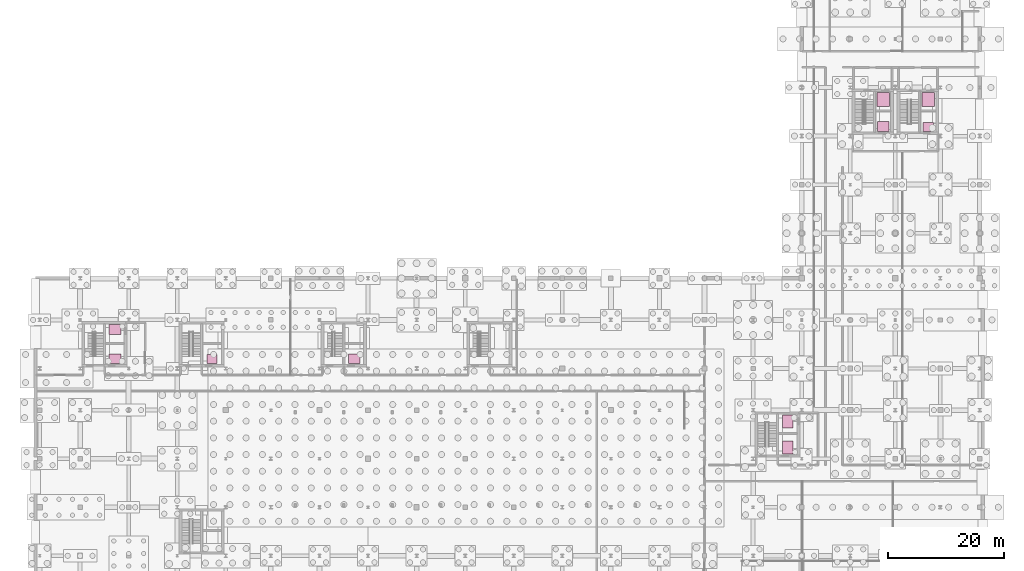
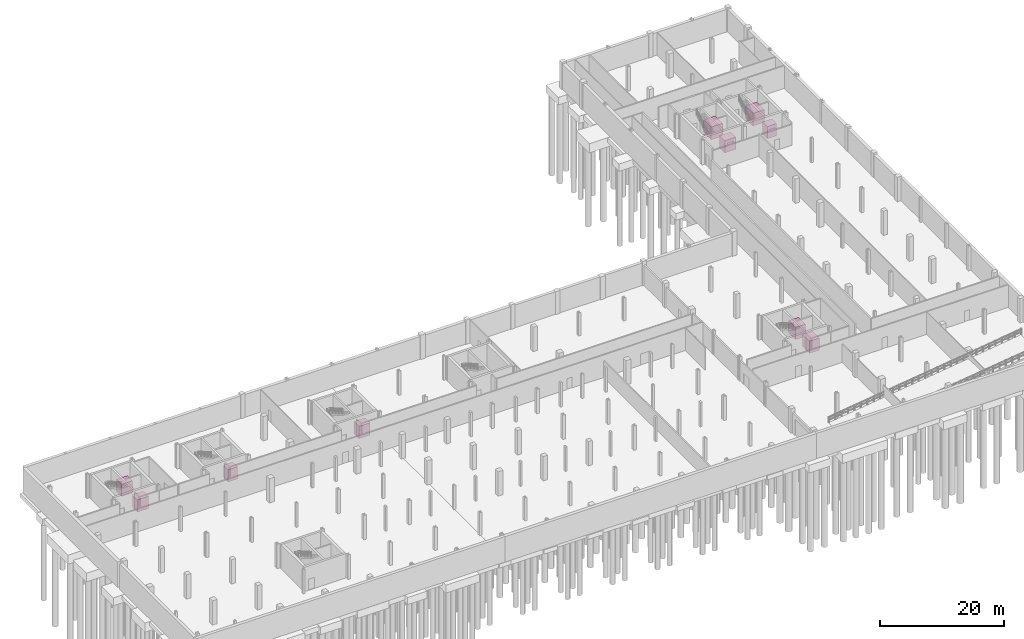
# One storey, part 32 of 32: 10 transport elements.
"""IFC4 building model written with IfcOpenShell, lengths in metres."""

from ifc_helpers import new_model, si_unit, direction, frame, origin_with_axes, origin_2d_with_axis, place, context, subcontext, project, spatial, rectangle, extrude, material, type_object, element, save


model = new_model("IFC4")

# Units and contexts
model_context = context("Model", 3, precision=1e-05, world=origin_with_axes(), true_north=direction((0.0, 1.0)))
body_context = subcontext(model_context, "Body", "Model", "MODEL_VIEW")
ifc_project = project(units=[si_unit("LENGTHUNIT", "METRE"), si_unit("AREAUNIT", "SQUARE_METRE"), si_unit("VOLUMEUNIT", "CUBIC_METRE"), si_unit("PLANEANGLEUNIT", "RADIAN"), si_unit("MASSUNIT", "GRAM", prefix="KILO"), si_unit("THERMODYNAMICTEMPERATUREUNIT", "KELVIN")], contexts=[model_context])

# Site, building, storey
site_placement = place(None, origin_with_axes())
site = spatial("IfcSite", under=ifc_project, at=site_placement, CompositionType="ELEMENT")
building_placement = place(site_placement, origin_with_axes())
building = spatial("IfcBuilding", under=site, at=building_placement, Name="Montbau Bow Law Courts", CompositionType="ELEMENT")
storey_placement = place(building_placement, frame((0.0, 0.0, -4.8), z_axis=(0.0, 0.0, 1.0), x_axis=(1.0, 0.0, 0.0)))
storey = spatial("IfcBuildingStorey", under=building, at=storey_placement, Name="B1", CompositionType="ELEMENT", Elevation=-4.8)

# Transport elements
ifc_material_1 = material(Name="Heavy-Gauge Detention Custody Elevator Cab", Category="steel")
transport_element_type_1 = type_object("IfcTransportElementType", Name="ELV-CUS-1800", PredefinedType="ELEVATOR", material=ifc_material_1)
for number, where, z_axis, x_axis, name in (
    (1, (136.205, 32.555, -4.8), (0.0, 0.0, 1.0), (1.0, 0.0, 0.0), "Elevator EL-C1 car"),
    (2, (136.205, 37.045, -4.8), (0.0, 0.0, 1.0), (1.0, 0.0, 0.0), "Elevator EL-C2 car"),
):
    element("IfcTransportElement", number, at=place(None, frame(where, z_axis=z_axis, x_axis=x_axis)), inside=storey, type_object=transport_element_type_1, Name=name, PredefinedType="ELEVATOR", context=body_context, shape_type="SweptSolid", body=[
        extrude(rectangle(XDim=1.85, YDim=2.25, at=origin_2d_with_axis()), origin_with_axes(), (0.0, 0.0, 1.0), 2.4),
    ])
ifc_material_2 = material(Name="CSA B44 Firefighters and Stretcher Elevator Cab", Category="steel")
transport_element_type_2 = type_object("IfcTransportElementType", Name="ELV-FFE-2500", PredefinedType="ELEVATOR", material=ifc_material_2)
for number, where, z_axis, x_axis, name in (
    (3, (152.705, 92.745, -4.8), (0.0, 0.0, 1.0), (1.0, 0.0, 0.0), "Elevator EL-FF1 car"),
    (4, (160.505, 92.745, -4.8), (0.0, 0.0, 1.0), (1.0, 0.0, 0.0), "Elevator EL-FF2 car"),
):
    element("IfcTransportElement", number, at=place(None, frame(where, z_axis=z_axis, x_axis=x_axis)), inside=storey, type_object=transport_element_type_2, Name=name, PredefinedType="ELEVATOR", context=body_context, shape_type="SweptSolid", body=[
        extrude(rectangle(XDim=2.15, YDim=2.45, at=origin_2d_with_axis()), origin_with_axes(), (0.0, 0.0, 1.0), 2.5),
    ])
ifc_material_3 = material(Name="Bronze-Panelled Judicial Restricted Elevator Cab", Category="steel")
transport_element_type_3 = type_object("IfcTransportElementType", Name="ELV-JUD-1600", PredefinedType="ELEVATOR", material=ifc_material_3)
for number, where, z_axis, x_axis, name in (
    (5, (36.605, 47.805, -4.8), (0.0, 0.0, 1.0), (1.0, 0.0, 0.0), "Elevator EL-J1 car"),
    (6, (160.505, 88.005, -4.8), (0.0, 0.0, 1.0), (1.0, 0.0, 0.0), "Elevator EL-J2 car"),
):
    element("IfcTransportElement", number, at=place(None, frame(where, z_axis=z_axis, x_axis=x_axis)), inside=storey, type_object=transport_element_type_3, Name=name, PredefinedType="ELEVATOR", context=body_context, shape_type="SweptSolid", body=[
        extrude(rectangle(XDim=1.75, YDim=1.55, at=origin_2d_with_axis()), origin_with_axes(), (0.0, 0.0, 1.0), 2.4),
    ])
ifc_material_4 = material(Name="Brushed Stainless Steel Passenger Elevator Cab", Category="steel")
transport_element_type_4 = type_object("IfcTransportElementType", Name="ELV-PUB-2000", PredefinedType="ELEVATOR", material=ifc_material_4)
for number, where, z_axis, x_axis, name in (
    (7, (19.805, 47.855, -4.8), (0.0, 0.0, 1.0), (1.0, 0.0, 0.0), "Elevator EL-P1 car"),
    (8, (19.805, 52.945, -4.8), (0.0, 0.0, 1.0), (1.0, 0.0, 0.0), "Elevator EL-P2 car"),
    (9, (61.205, 47.855, -4.8), (0.0, 0.0, 1.0), (1.0, 0.0, 0.0), "Elevator EL-P3 car"),
    (10, (152.705, 88.055, -4.8), (0.0, 0.0, 1.0), (1.0, 0.0, 0.0), "Elevator EL-P4 car"),
):
    element("IfcTransportElement", number, at=place(None, frame(where, z_axis=z_axis, x_axis=x_axis)), inside=storey, type_object=transport_element_type_4, Name=name, PredefinedType="ELEVATOR", context=body_context, shape_type="SweptSolid", body=[
        extrude(rectangle(XDim=2.05, YDim=1.65, at=origin_2d_with_axis()), origin_with_axes(), (0.0, 0.0, 1.0), 2.4),
    ])

save(model, "model.ifc")
